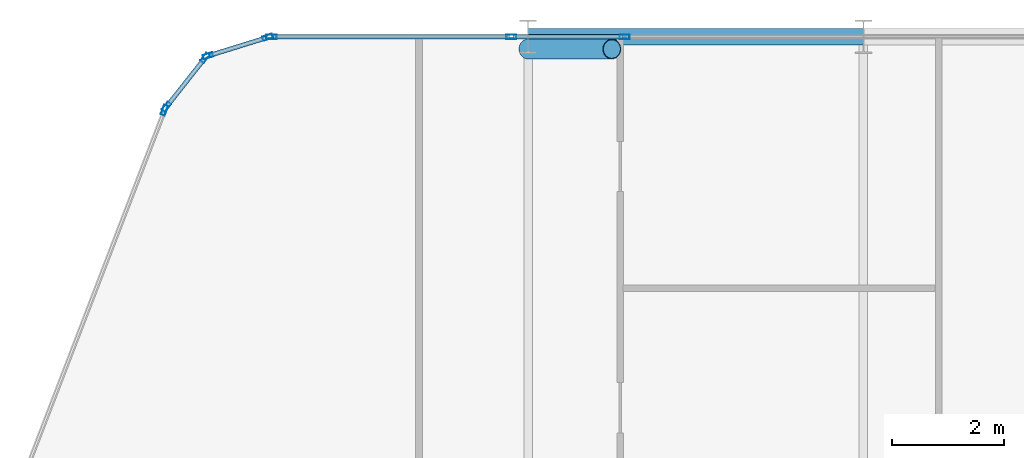
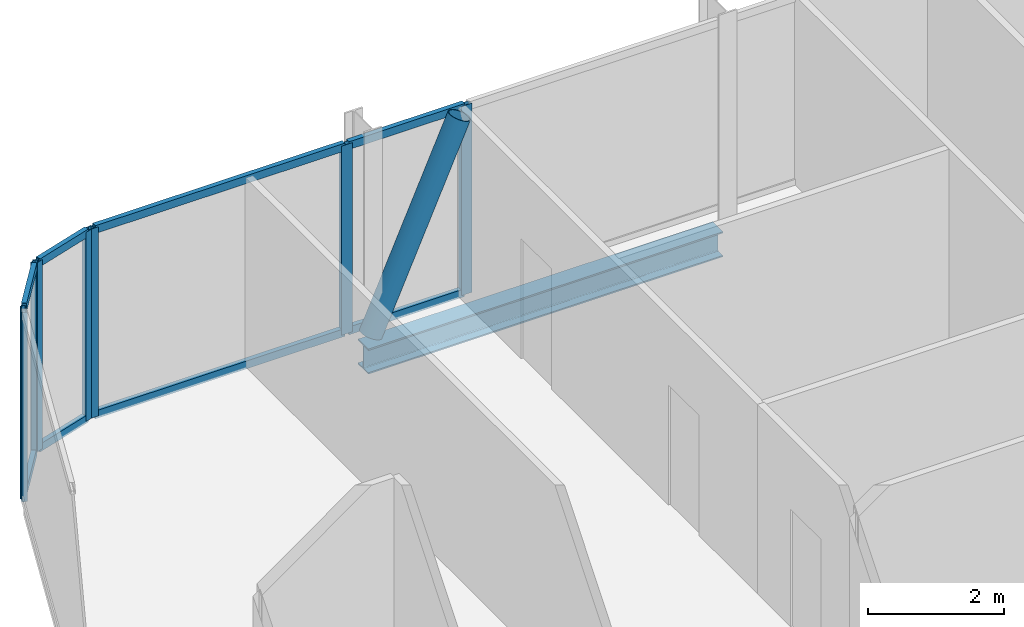
# One storey, part 16 of 29: 17 members, 1 beam, 5 elements without a shape of their own.
"""IFC4 building model written with IfcOpenShell, lengths in metres."""

from ifc_helpers import new_model, si_unit, direction, frame, origin, origin_2d, place, context, subcontext, project, spatial, hollow_rectangle, hollow_circle, i_section, extrude, material, layer, layer_set, material_profile, profile_set, type_object, element, aggregate, save


model = new_model("IFC4")

# Units and contexts
model_context = context("Model", 3, precision=1e-05, world=origin(), true_north=direction((0.0, 1.0)))
body_context = subcontext(model_context, "Body", "Model", "MODEL_VIEW")
ifc_project = project(units=[si_unit("LENGTHUNIT", "METRE"), si_unit("AREAUNIT", "SQUARE_METRE"), si_unit("VOLUMEUNIT", "CUBIC_METRE"), si_unit("PLANEANGLEUNIT", "RADIAN"), si_unit("MASSUNIT", "GRAM", prefix="KILO")], contexts=[model_context])

# Site, building, storey
site_placement = place(None, origin())
site = spatial("IfcSite", under=ifc_project, at=site_placement, CompositionType="ELEMENT")
building_placement = place(site_placement, origin())
building = spatial("IfcBuilding", under=site, at=building_placement, Name="Keshet Zoharim Tower", CompositionType="ELEMENT")
storey_placement = place(building_placement, frame((0.0, 0.0, 98.300048828125)))
storey = spatial("IfcBuildingStorey", under=building, at=storey_placement, Name="L23", CompositionType="ELEMENT", Elevation=98.300048828125)

# Beam
ifc_material_1 = material(Name="Steel S355", Category="steel")
ifc_material_profile_1 = material_profile(ifc_material_1, i_section(OverallWidth=0.300048828125, OverallDepth=0.449951171875, WebThickness=0.013916015625, FlangeThickness=0.02587890625, FilletRadius=0.027099609375, at=origin_2d()), Name="HEB450")
ifc_profile_set_1 = profile_set([ifc_material_profile_1], Name="Steel S355")
beam_type = type_object("IfcBeamType", Name="BM-WEB-HB450", PredefinedType="BEAM", material=ifc_profile_set_1)
beam_placement = place(storey_placement, frame((21.0, 53.89990234375, -0.5400390625), z_axis=(1.0, 0.0, 0.0), x_axis=(0.0, 1.0, 0.0)))
element("IfcBeam", 1, at=beam_placement, inside=storey, type_object=beam_type, Name="L23 Primary Girder X-019", PredefinedType="BEAM", context=body_context, shape_type="SweptSolid", body=[
    extrude(i_section(OverallWidth=0.300048828125, OverallDepth=0.449951171875, WebThickness=0.013916015625, FlangeThickness=0.02587890625, FilletRadius=0.027099609375, at=origin_2d()), origin(), (0.0, 0.0, 1.0), 6.0),
])

# Curtain wall, member
ifc_material_2 = material(Name="Aluminium 6063-T6", Category="aluminium")
ifc_layer = layer(ifc_material_2, 0.159912109375)
ifc_layer_set = layer_set([ifc_layer], Name="Aluminium 6063-T6")
curtain_wall_type = type_object("IfcCurtainWallType", Name="CW-SYS-03", PredefinedType="NOTDEFINED", material=ifc_layer_set)
curtain_wall_1_placement = place(storey_placement, origin())
curtain_wall_1 = element("IfcCurtainWall", 2, at=curtain_wall_1_placement, inside=storey, type_object=curtain_wall_type, Name="L23 Unitised Curtain Wall 10", PredefinedType="NOTDEFINED")
ifc_material_profile_2 = material_profile(ifc_material_2, hollow_rectangle(XDim=0.080078125, YDim=0.179931640625, WallThickness=0.00439453125, at=origin_2d()), Name="MUL-80x180")
ifc_profile_set_2 = profile_set([ifc_material_profile_2], Name="Aluminium 6063-T6")
member_type_1 = type_object("IfcMemberType", Name="CWM-M18", PredefinedType="MULLION", material=ifc_profile_set_2)
member_1_placement = place(storey_placement, frame((14.494384765625, 52.58544921875, 0.0), z_axis=(0.0, 0.0, 1.0), x_axis=(-0.933341404361, 0.358990003907, 0.0)))
member_1 = element("IfcMember", 3, at=member_1_placement, type_object=member_type_1, Name="CW-03 mullion 4", PredefinedType="MULLION", context=body_context, shape_type="SweptSolid", body=[
    extrude(hollow_rectangle(XDim=0.080078125, YDim=0.179931640625, WallThickness=0.00439453125, at=origin_2d()), origin(), (0.0, 0.0, 1.0), 3.385009765625),
])
aggregate(curtain_wall_1, [member_1])

# Curtain wall, members
curtain_wall_2_placement = place(storey_placement, origin())
curtain_wall_2 = element("IfcCurtainWall", 4, at=curtain_wall_2_placement, inside=storey, type_object=curtain_wall_type, Name="L23 Unitised Curtain Wall 11", PredefinedType="NOTDEFINED")
member_2_placement = place(storey_placement, frame((14.528564453125, 52.6455078125, 0.0), z_axis=(0.0, 0.0, 1.0), x_axis=(-0.785292825205, 0.619124525989, 0.0)))
member_2 = element("IfcMember", 5, at=member_2_placement, type_object=member_type_1, Name="CW-03 mullion 1", PredefinedType="MULLION", context=body_context, shape_type="SweptSolid", body=[
    extrude(hollow_rectangle(XDim=0.080078125, YDim=0.179931640625, WallThickness=0.00439453125, at=origin_2d()), origin(), (0.0, 0.0, 1.0), 3.385009765625),
])
member_3_placement = place(storey_placement, frame((15.21923828125, 53.521484375, 0.0), z_axis=(0.0, 0.0, 1.0), x_axis=(-0.785292825205, 0.619124525989, 0.0)))
member_3 = element("IfcMember", 6, at=member_3_placement, type_object=member_type_1, Name="CW-03 mullion 2", PredefinedType="MULLION", context=body_context, shape_type="SweptSolid", body=[
    extrude(hollow_rectangle(XDim=0.080078125, YDim=0.179931640625, WallThickness=0.00439453125, at=origin_2d()), origin(), (0.0, 0.0, 1.0), 3.385009765625),
])

curtain_wall_3_placement = place(storey_placement, origin())
curtain_wall_3 = element("IfcCurtainWall", 7, at=curtain_wall_3_placement, inside=storey, type_object=curtain_wall_type, Name="L23 Unitised Curtain Wall 12", PredefinedType="NOTDEFINED")
member_4_placement = place(storey_placement, frame((15.2744140625, 53.559326171875, 0.0), z_axis=(0.0, 0.0, 1.0), x_axis=(-0.295921857984, 0.955212151288, 0.0)))
member_4 = element("IfcMember", 8, at=member_4_placement, type_object=member_type_1, Name="CW-03 mullion 1", PredefinedType="MULLION", context=body_context, shape_type="SweptSolid", body=[
    extrude(hollow_rectangle(XDim=0.080078125, YDim=0.179931640625, WallThickness=0.00439453125, at=origin_2d()), origin(), (0.0, 0.0, 1.0), 3.385009765625),
])
member_5_placement = place(storey_placement, frame((16.340576171875, 53.8896484375, 0.0), z_axis=(0.0, 0.0, 1.0), x_axis=(-0.295921857984, 0.955212151288, 0.0)))
member_5 = element("IfcMember", 9, at=member_5_placement, type_object=member_type_1, Name="CW-03 mullion 2", PredefinedType="MULLION", context=body_context, shape_type="SweptSolid", body=[
    extrude(hollow_rectangle(XDim=0.080078125, YDim=0.179931640625, WallThickness=0.00439453125, at=origin_2d()), origin(), (0.0, 0.0, 1.0), 3.385009765625),
])

curtain_wall_4_placement = place(storey_placement, origin())
curtain_wall_4 = element("IfcCurtainWall", 10, at=curtain_wall_4_placement, inside=storey, type_object=curtain_wall_type, Name="L23 Unitised Curtain Wall 13", PredefinedType="NOTDEFINED")
member_6_placement = place(storey_placement, frame((16.408935546875, 53.89990234375, 0.0), z_axis=(0.0, 0.0, 1.0), x_axis=(0.0, 1.0, 0.0)))
member_6 = element("IfcMember", 11, at=member_6_placement, type_object=member_type_1, Name="CW-03 mullion 1", PredefinedType="MULLION", context=body_context, shape_type="SweptSolid", body=[
    extrude(hollow_rectangle(XDim=0.080078125, YDim=0.179931640625, WallThickness=0.00439453125, at=origin_2d()), origin(), (0.0, 0.0, 1.0), 3.385009765625),
])
member_7_placement = place(storey_placement, frame((20.702392578125, 53.89990234375, 0.0), z_axis=(0.0, 0.0, 1.0), x_axis=(0.0, 1.0, 0.0)))
member_7 = element("IfcMember", 12, at=member_7_placement, type_object=member_type_1, Name="CW-03 mullion 2", PredefinedType="MULLION", context=body_context, shape_type="SweptSolid", body=[
    extrude(hollow_rectangle(XDim=0.080078125, YDim=0.179931640625, WallThickness=0.00439453125, at=origin_2d()), origin(), (0.0, 0.0, 1.0), 3.385009765625),
])

# Curtain wall, member
curtain_wall_5_placement = place(storey_placement, origin())
curtain_wall_5 = element("IfcCurtainWall", 13, at=curtain_wall_5_placement, inside=storey, type_object=curtain_wall_type, Name="L23 Unitised Curtain Wall 13 Part 2", PredefinedType="NOTDEFINED")
member_8_placement = place(storey_placement, frame((22.7275390625, 53.89990234375, 0.0), z_axis=(0.0, 0.0, 1.0), x_axis=(0.0, 1.0, 0.0)))
member_8 = element("IfcMember", 14, at=member_8_placement, type_object=member_type_1, Name="CW-03 mullion 2", PredefinedType="MULLION", context=body_context, shape_type="SweptSolid", body=[
    extrude(hollow_rectangle(XDim=0.080078125, YDim=0.179931640625, WallThickness=0.00439453125, at=origin_2d()), origin(), (0.0, 0.0, 1.0), 3.385009765625),
])

# Member
ifc_material_profile_3 = material_profile(ifc_material_2, hollow_rectangle(XDim=0.080078125, YDim=0.139892578125, WallThickness=0.00390625, at=origin_2d()), Name="TRN-80x140")
ifc_profile_set_3 = profile_set([ifc_material_profile_3], Name="Aluminium 6063-T6")
member_type_2 = type_object("IfcMemberType", Name="CWT-T14", PredefinedType="USERDEFINED", material=ifc_profile_set_3)
member_9_placement = place(storey_placement, frame((14.55029296875, 52.6728515625, 0.034912109375), z_axis=(0.619099165969, 0.78531281837, 0.0), x_axis=(-0.78531281837, 0.619099165969, 0.0)))
member_9 = element("IfcMember", 15, at=member_9_placement, type_object=member_type_2, Name="CW-03 transom 1.1", ObjectType="TRANSOM", PredefinedType="USERDEFINED", context=body_context, shape_type="SweptSolid", body=[
    extrude(hollow_rectangle(XDim=0.080078125, YDim=0.139892578125, WallThickness=0.00390625, at=origin_2d()), origin(), (0.0, 0.0, 1.0), 1.0458984375),
])

member_10_placement = place(storey_placement, frame((14.55029296875, 52.6728515625, 3.349853515625), z_axis=(0.619099165969, 0.78531281837, 0.0), x_axis=(-0.78531281837, 0.619099165969, 0.0)))
member_10 = element("IfcMember", 16, at=member_10_placement, type_object=member_type_2, Name="CW-03 transom 1.2", ObjectType="TRANSOM", PredefinedType="USERDEFINED", context=body_context, shape_type="SweptSolid", body=[
    extrude(hollow_rectangle(XDim=0.080078125, YDim=0.139892578125, WallThickness=0.00390625, at=origin_2d()), origin(), (0.0, 0.0, 1.0), 1.0458984375),
])

aggregate(curtain_wall_2, [member_2, member_3, member_9, member_10])

member_11_placement = place(storey_placement, frame((15.307861328125, 53.56982421875, 0.034912109375), z_axis=(0.955212093062, 0.295922045933, 0.0), x_axis=(-0.295922045933, 0.955212093062, 0.0)))
member_11 = element("IfcMember", 17, at=member_11_placement, type_object=member_type_2, Name="CW-03 transom 1.1", ObjectType="TRANSOM", PredefinedType="USERDEFINED", context=body_context, shape_type="SweptSolid", body=[
    extrude(hollow_rectangle(XDim=0.080078125, YDim=0.139892578125, WallThickness=0.00390625, at=origin_2d()), origin(), (0.0, 0.0, 1.0), 1.046142578125),
])

member_12_placement = place(storey_placement, frame((15.307861328125, 53.56982421875, 3.349853515625), z_axis=(0.955212093062, 0.295922045933, 0.0), x_axis=(-0.295922045933, 0.955212093062, 0.0)))
member_12 = element("IfcMember", 18, at=member_12_placement, type_object=member_type_2, Name="CW-03 transom 1.2", ObjectType="TRANSOM", PredefinedType="USERDEFINED", context=body_context, shape_type="SweptSolid", body=[
    extrude(hollow_rectangle(XDim=0.080078125, YDim=0.139892578125, WallThickness=0.00390625, at=origin_2d()), origin(), (0.0, 0.0, 1.0), 1.046142578125),
])

aggregate(curtain_wall_3, [member_4, member_5, member_11, member_12])

member_13_placement = place(storey_placement, frame((16.444091796875, 53.89990234375, 0.034912109375), z_axis=(1.0, 0.0, 0.0), x_axis=(0.0, 1.0, 0.0)))
member_13 = element("IfcMember", 19, at=member_13_placement, type_object=member_type_2, Name="CW-03 transom 1.1", ObjectType="TRANSOM", PredefinedType="USERDEFINED", context=body_context, shape_type="SweptSolid", body=[
    extrude(hollow_rectangle(XDim=0.080078125, YDim=0.139892578125, WallThickness=0.00390625, at=origin_2d()), origin(), (0.0, 0.0, 1.0), 4.223388671875),
])

member_14_placement = place(storey_placement, frame((16.444091796875, 53.89990234375, 3.349853515625), z_axis=(1.0, 0.0, 0.0), x_axis=(0.0, 1.0, 0.0)))
member_14 = element("IfcMember", 20, at=member_14_placement, type_object=member_type_2, Name="CW-03 transom 1.2", ObjectType="TRANSOM", PredefinedType="USERDEFINED", context=body_context, shape_type="SweptSolid", body=[
    extrude(hollow_rectangle(XDim=0.080078125, YDim=0.139892578125, WallThickness=0.00390625, at=origin_2d()), origin(), (0.0, 0.0, 1.0), 4.223388671875),
])

aggregate(curtain_wall_4, [member_6, member_7, member_13, member_14])

member_15_placement = place(storey_placement, frame((20.7373046875, 53.89990234375, 0.034912109375), z_axis=(1.0, 0.0, 0.0), x_axis=(0.0, 1.0, 0.0)))
member_15 = element("IfcMember", 21, at=member_15_placement, type_object=member_type_2, Name="CW-03 transom 1.1", ObjectType="TRANSOM", PredefinedType="USERDEFINED", context=body_context, shape_type="SweptSolid", body=[
    extrude(hollow_rectangle(XDim=0.080078125, YDim=0.139892578125, WallThickness=0.00390625, at=origin_2d()), origin(), (0.0, 0.0, 1.0), 1.955322265625),
])

member_16_placement = place(storey_placement, frame((20.7373046875, 53.89990234375, 3.349853515625), z_axis=(1.0, 0.0, 0.0), x_axis=(0.0, 1.0, 0.0)))
member_16 = element("IfcMember", 22, at=member_16_placement, type_object=member_type_2, Name="CW-03 transom 1.2", ObjectType="TRANSOM", PredefinedType="USERDEFINED", context=body_context, shape_type="SweptSolid", body=[
    extrude(hollow_rectangle(XDim=0.080078125, YDim=0.139892578125, WallThickness=0.00390625, at=origin_2d()), origin(), (0.0, 0.0, 1.0), 1.955322265625),
])

aggregate(curtain_wall_5, [member_8, member_15, member_16])

ifc_material_profile_4 = material_profile(ifc_material_1, hollow_circle(Radius=0.177734375, WallThickness=0.012451171875, at=origin_2d()), Name="CHS355x12.5")
ifc_profile_set_4 = profile_set([ifc_material_profile_4], Name="Steel S355")
member_type_3 = type_object("IfcMemberType", Name="MB-BR-C355", PredefinedType="BRACE", material=ifc_profile_set_4)
member_17_placement = place(storey_placement, frame((21.0, 53.679931640625, 0.0), z_axis=(0.405134846829, 0.0, 0.91425694194), x_axis=(0.0, 1.0, 0.0)))
element("IfcMember", 23, at=member_17_placement, inside=storey, type_object=member_type_3, Name="L23 Perimeter Tube Brace 02", PredefinedType="BRACE", context=body_context, shape_type="SweptSolid", body=[
    extrude(hollow_circle(Radius=0.177734375, WallThickness=0.012451171875, at=origin_2d()), origin(), (0.0, 0.0, 1.0), 3.702392578125),
])

save(model, "model.ifc")
